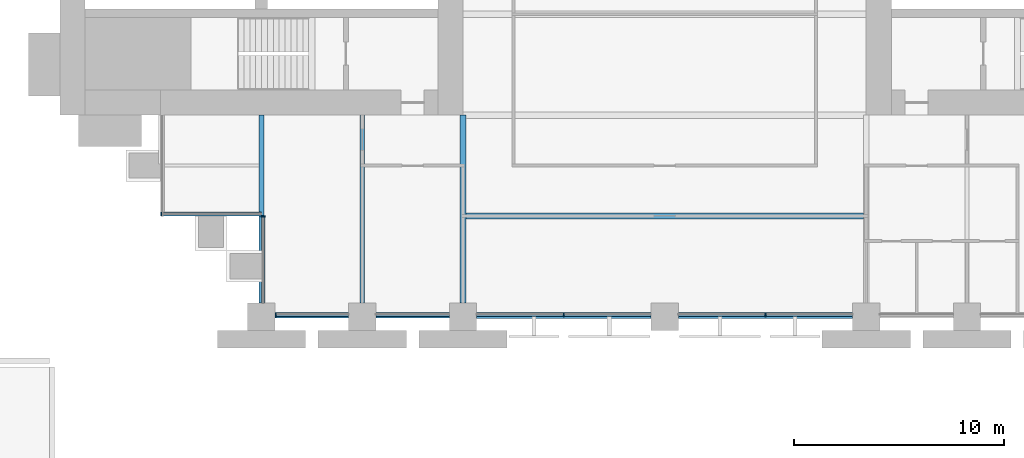
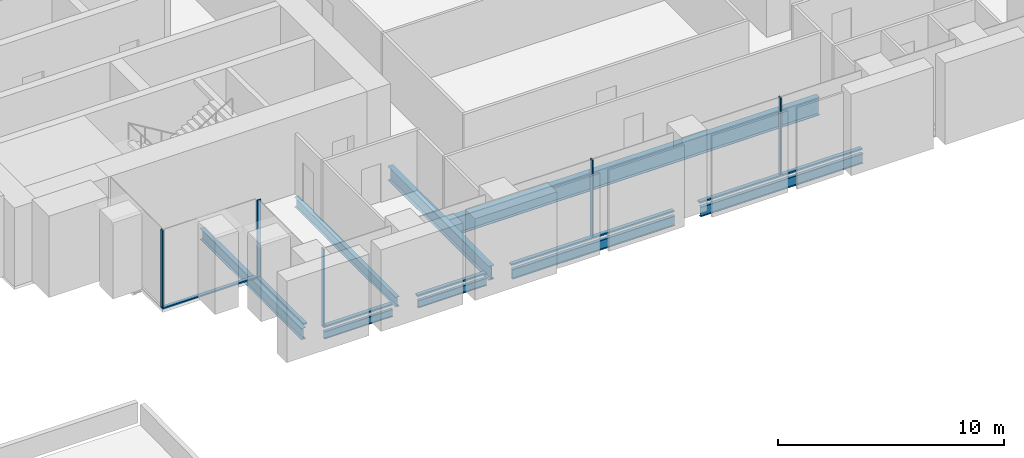
# One storey, part 2 of 14: 11 members, 8 beams, 3 elements without a shape of their own.
"""IFC4 building model written with IfcOpenShell, lengths in metres."""

import ifcopenshell
import ifcopenshell.guid

model = None  # the IFC model being written
_history = None  # IfcOwnerHistory: only IFC2X3 demands one
_inside = {}  # id of a spatial element -> (the spatial element, [elements in it])
_under = {}  # id of a project, library or spatial element -> (it, [spatial elements below it])
_declared = {}  # id of a project -> (the project, [libraries it declares])
_typed = {}  # id of a type object -> (the type object, [elements of that type])
_made_of = {}  # id of a material, layer set ... -> (it, [elements and type objects made of it])


def new_model(schema):
    """Start an empty IFC model of exactly this schema.

    Asked for "IFC4X3", IfcOpenShell would pick the latest addendum, in which some entities
    have other attributes; the version numbers below select the first issue.
    IFC2X3 requires an IfcOwnerHistory on every rooted entity: one is made here for all.
    """
    global model, _history
    if schema == "IFC4X3":
        model = ifcopenshell.file(schema_version=(4, 3, 0, 0))
    else:
        model = ifcopenshell.file(schema=schema)
    _inside.clear()
    _under.clear()
    _declared.clear()
    _typed.clear()
    _made_of.clear()
    _history = None
    if model.schema == "IFC2X3":
        org = make("IfcOrganization", Name="unknown")
        user = make(
            "IfcPersonAndOrganization",
            ThePerson=make("IfcPerson", FamilyName="unknown"),
            TheOrganization=org,
        )
        app = make(
            "IfcApplication",
            ApplicationDeveloper=org,
            Version="unknown",
            ApplicationFullName="unknown",
            ApplicationIdentifier="unknown",
        )
        _history = make(
            "IfcOwnerHistory",
            OwningUser=user,
            OwningApplication=app,
            ChangeAction="ADDED",
            CreationDate=0,
        )
    return model


def make(cls, **values):
    """One entity of the class cls with the attributes given. An attribute that is None is left unset."""
    return model.create_entity(
        cls, **{name: value for name, value in values.items() if value is not None}
    )


def rooted(cls, **values):
    """An entity with a GlobalId (a new one), such as an element, a storey or a relation."""
    return make(cls, GlobalId=ifcopenshell.guid.new(), OwnerHistory=_history, **values)


def si_unit(unit_type, name, prefix=None):
    """IfcSIUnit, for example si_unit("LENGTHUNIT", "METRE", prefix="MILLI")."""
    return make("IfcSIUnit", UnitType=unit_type, Prefix=prefix, Name=name)


def assignment(units):
    """IfcUnitAssignment: the units of a project."""
    return None if units is None else make("IfcUnitAssignment", Units=units)


def point(xyz):
    """IfcCartesianPoint."""
    return None if xyz is None else make("IfcCartesianPoint", Coordinates=xyz)


def direction(xyz):
    """IfcDirection."""
    return None if xyz is None else make("IfcDirection", DirectionRatios=xyz)


def frame(location, z_axis=None, x_axis=None):
    """IfcAxis2Placement3D, a coordinate frame: its origin and axes. An axis left out is left unset."""
    return make(
        "IfcAxis2Placement3D",
        Location=point(location),
        Axis=direction(z_axis),
        RefDirection=direction(x_axis),
    )


def frame_2d(location, x_axis=None):
    """IfcAxis2Placement2D, a coordinate frame in the plane: its origin and x axis."""
    return make(
        "IfcAxis2Placement2D", Location=point(location), RefDirection=direction(x_axis)
    )


def origin():
    """The frame at (0, 0, 0) with its axes left unset."""
    return frame((0.0, 0.0, 0.0))


def origin_2d():
    """The frame at (0, 0) in the plane with its x axis left unset."""
    return frame_2d((0.0, 0.0))


def place(relative_to, where):
    """IfcLocalPlacement: puts the frame where relative to a parent placement (None: the world)."""
    return make(
        "IfcLocalPlacement", PlacementRelTo=relative_to, RelativePlacement=where
    )


def context(
    kind, dimensions, precision=None, world=None, true_north=None, identifier=None
):
    """IfcGeometricRepresentationContext, for example the 3D "Model" context."""
    return make(
        "IfcGeometricRepresentationContext",
        ContextIdentifier=identifier,
        ContextType=kind,
        CoordinateSpaceDimension=dimensions,
        Precision=precision,
        WorldCoordinateSystem=world,
        TrueNorth=true_north,
    )


def subcontext(parent, identifier, kind, view, scale=None):
    """IfcGeometricRepresentationSubContext, for example "Body" below "Model"."""
    return make(
        "IfcGeometricRepresentationSubContext",
        ContextIdentifier=identifier,
        ContextType=kind,
        ParentContext=parent,
        TargetScale=scale,
        TargetView=view,
    )


def project(units=None, contexts=None):
    """IfcProject with its units and contexts."""
    return rooted(
        "IfcProject",
        Name="project",
        RepresentationContexts=contexts,
        UnitsInContext=assignment(units),
    )


def spatial(cls, under=None, at=None, **own):
    """A site, building, storey or space (cls), placed at a placement, below another one or the project."""
    s = rooted(cls, ObjectPlacement=at, **own)
    if under is not None:
        _under.setdefault(under.id(), (under, []))[1].append(s)
    return s


def profile(cls, at=None, kind="AREA", **sizes):
    """A parametric profile (cls). Its sizes go by their IFC names, for example OverallWidth=200.0."""
    return make(cls, ProfileType=kind, Position=at, **sizes)


def rectangle(**sizes):
    """IfcRectangleProfileDef."""
    return profile("IfcRectangleProfileDef", **sizes)


def i_section(**sizes):
    """IfcIShapeProfileDef."""
    return profile("IfcIShapeProfileDef", **sizes)


def extrude(swept, where, along, depth):
    """IfcExtrudedAreaSolid: the profile swept, set in the frame where, extruded along a direction by depth."""
    return make(
        "IfcExtrudedAreaSolid",
        SweptArea=swept,
        Position=where,
        ExtrudedDirection=direction(along),
        Depth=depth,
    )


def shape(context_of_items, identifier, shape_type, items):
    """IfcShapeRepresentation: the items that make up one representation, for example the "Body"."""
    return make(
        "IfcShapeRepresentation",
        ContextOfItems=context_of_items,
        RepresentationIdentifier=identifier,
        RepresentationType=shape_type,
        Items=items,
    )


def material(Name=None, Category=None):
    """IfcMaterial."""
    return make("IfcMaterial", Name=Name, Category=Category)


def material_profile(
    of_material, cross_section, Name=None, Category=None, Priority=None
):
    """IfcMaterialProfile: a cross section and its material."""
    return make(
        "IfcMaterialProfile",
        Name=Name,
        Material=of_material,
        Profile=cross_section,
        Priority=Priority,
        Category=Category,
    )


def profile_set(profiles, Name=None, composite=None):
    """IfcMaterialProfileSet."""
    return make(
        "IfcMaterialProfileSet",
        Name=Name,
        MaterialProfiles=profiles,
        CompositeProfile=composite,
    )


def made_of(thing, what):
    """Note that an element or type object is made of a material, layer set ...; save() writes the relation."""
    if what is not None:
        _made_of.setdefault(what.id(), (what, []))[1].append(thing)
    return thing


def type_object(cls, material=None, **own):
    """A type object (cls), such as IfcWallType, which elements share."""
    return made_of(rooted(cls, **own), material)


def element(
    cls,
    number,
    at=None,
    inside=None,
    cuts=None,
    type_object=None,
    material=None,
    context=None,
    identifier="Body",
    shape_type=None,
    held_by="IfcProductDefinitionShape",
    body=None,
    shapes=None,
    **own,
):
    """One element of the class cls, such as IfcWall. Its Tag is "e" and its number.

    at: its placement. inside: the storey or other place that contains it. cuts: it is an
    opening in that element (IfcRelVoidsElement). A single representation is given by context,
    identifier, shape_type and body (its items); several are given by shapes. held_by: the class
    of the entity that holds the representations. save() writes the other relations.
    """
    e = rooted(cls, Tag="e%d" % number, ObjectPlacement=at, **own)
    if body is not None:
        shapes = [shape(context, identifier, shape_type, body)]
    if shapes is not None:
        e.Representation = make(held_by, Representations=shapes)
    if inside is not None:
        _inside.setdefault(inside.id(), (inside, []))[1].append(e)
    if cuts is not None:
        rooted(
            "IfcRelVoidsElement", RelatingBuildingElement=cuts, RelatedOpeningElement=e
        )
    if type_object is not None:
        _typed.setdefault(type_object.id(), (type_object, []))[1].append(e)
    return made_of(e, material)


def aggregate(whole, parts):
    """IfcRelAggregates: a whole, such as a stair, and the parts it consists of."""
    return rooted("IfcRelAggregates", RelatingObject=whole, RelatedObjects=parts)


def save(model, path):
    """Write the relations noted so far, then the file.

    IfcRelAggregates (storeys below a building ...), IfcRelContainedInSpatialStructure (elements
    in a storey), IfcRelDefinesByType, IfcRelAssociatesMaterial and IfcRelDeclares: one each for
    every whole, place, type object, material and project.
    """
    for whole, parts in _under.values():
        aggregate(whole, parts)
    for where, things in _inside.values():
        rooted(
            "IfcRelContainedInSpatialStructure",
            RelatedElements=things,
            RelatingStructure=where,
        )
    for kind, things in _typed.values():
        rooted("IfcRelDefinesByType", RelatedObjects=things, RelatingType=kind)
    for what, things in _made_of.values():
        rooted("IfcRelAssociatesMaterial", RelatedObjects=things, RelatingMaterial=what)
    for by, libraries in _declared.values():
        rooted("IfcRelDeclares", RelatingContext=by, RelatedDefinitions=libraries)
    model.write(path)


model = new_model("IFC4")

# Units and contexts
model_context = context("Model", 3, precision=1e-05, world=origin(), true_north=direction((0.0, 1.0)))
body_context = subcontext(model_context, "Body", "Model", "MODEL_VIEW")
ifc_project = project(units=[si_unit("LENGTHUNIT", "METRE"), si_unit("AREAUNIT", "SQUARE_METRE"), si_unit("VOLUMEUNIT", "CUBIC_METRE"), si_unit("PLANEANGLEUNIT", "RADIAN"), si_unit("MASSUNIT", "GRAM", prefix="KILO")], contexts=[model_context])

# Site, building, storey
site_placement = place(None, origin())
site = spatial("IfcSite", under=ifc_project, at=site_placement, CompositionType="ELEMENT")
building_placement = place(site_placement, origin())
building = spatial("IfcBuilding", under=site, at=building_placement, Name="Baori Bourse Tower", CompositionType="ELEMENT")
storey_placement = place(building_placement, frame((0.0, 0.0, 30.199951171875)))
storey = spatial("IfcBuildingStorey", under=building, at=storey_placement, Name="L05", CompositionType="ELEMENT", Elevation=30.199951171875)

# Curtain wall, members
ifc_material_1 = material(Name="Pale anodised aluminium", Category="aluminium")
curtain_wall_type_1 = type_object("IfcCurtainWallType", Name="CW1 Curtain wall", PredefinedType="NOTDEFINED", material=ifc_material_1)
curtain_wall_1_placement = place(storey_placement, origin())
curtain_wall_1 = element("IfcCurtainWall", 1, at=curtain_wall_1_placement, inside=storey, type_object=curtain_wall_type_1, Name="Curtain wall CW1 L05 11", PredefinedType="NOTDEFINED")
ifc_material_2 = material(Name="Pale anodised aluminium", Category="aluminium")
ifc_material_profile_1 = material_profile(ifc_material_2, rectangle(XDim=0.199951171875, YDim=0.06005859375, at=origin_2d()), Name="Mullion 60x200")
ifc_profile_set_1 = profile_set([ifc_material_profile_1], Name="Pale anodised aluminium")
member_type_1 = type_object("IfcMemberType", Name="CW1 Curtain wall mullion", PredefinedType="MULLION", material=ifc_profile_set_1)
member_1_placement = place(storey_placement, frame((10.280029296875, 0.10009765625, 0.080078125), z_axis=(0.0, 0.0, 1.0), x_axis=(0.0, 1.0, 0.0)))
member_1 = element("IfcMember", 2, at=member_1_placement, type_object=member_type_1, Name="Curtain wall CW1 mullion", PredefinedType="MULLION", context=body_context, shape_type="SweptSolid", body=[
    extrude(rectangle(XDim=0.199951171875, YDim=0.06005859375, at=origin_2d()), origin(), (0.0, 0.0, 1.0), 4.159912109375),
])
member_2_placement = place(storey_placement, frame((24.0, 0.10009765625, 0.080078125), z_axis=(0.0, 0.0, 1.0), x_axis=(0.0, 1.0, 0.0)))
member_2 = element("IfcMember", 3, at=member_2_placement, type_object=member_type_1, Name="Curtain wall CW1 mullion", PredefinedType="MULLION", context=body_context, shape_type="SweptSolid", body=[
    extrude(rectangle(XDim=0.199951171875, YDim=0.06005859375, at=origin_2d()), origin(), (0.0, 0.0, 1.0), 4.159912109375),
])
member_3_placement = place(storey_placement, frame((33.60009765625, 0.10009765625, 0.080078125), z_axis=(0.0, 0.0, 1.0), x_axis=(0.0, 1.0, 0.0)))
member_3 = element("IfcMember", 4, at=member_3_placement, type_object=member_type_1, Name="Curtain wall CW1 mullion", PredefinedType="MULLION", context=body_context, shape_type="SweptSolid", body=[
    extrude(rectangle(XDim=0.199951171875, YDim=0.06005859375, at=origin_2d()), origin(), (0.0, 0.0, 1.0), 4.159912109375),
])
ifc_material_3 = material(Name="Pale anodised aluminium", Category="aluminium")
ifc_material_profile_2 = material_profile(ifc_material_3, rectangle(XDim=0.199951171875, YDim=0.080078125, at=origin_2d()), Name="Transom 80x200")
ifc_profile_set_2 = profile_set([ifc_material_profile_2], Name="Pale anodised aluminium")
member_type_2 = type_object("IfcMemberType", Name="CW1 Curtain wall transom", PredefinedType="USERDEFINED", material=ifc_profile_set_2)
member_4_placement = place(storey_placement, frame((10.25, 0.10009765625, 0.0400390625), z_axis=(1.0, 0.0, 0.0), x_axis=(0.0, 1.0, 0.0)))
member_4 = element("IfcMember", 5, at=member_4_placement, type_object=member_type_2, Name="Curtain wall CW1 sill rail", ObjectType="TRANSOM", PredefinedType="USERDEFINED", context=body_context, shape_type="SweptSolid", body=[
    extrude(rectangle(XDim=0.199951171875, YDim=0.080078125, at=origin_2d()), origin(), (0.0, 0.0, 1.0), 3.5),
])
member_5_placement = place(storey_placement, frame((15.050048828125, 0.10009765625, 0.0400390625), z_axis=(1.0, 0.0, 0.0), x_axis=(0.0, 1.0, 0.0)))
member_5 = element("IfcMember", 6, at=member_5_placement, type_object=member_type_2, Name="Curtain wall CW1 sill rail", ObjectType="TRANSOM", PredefinedType="USERDEFINED", context=body_context, shape_type="SweptSolid", body=[
    extrude(rectangle(XDim=0.199951171875, YDim=0.080078125, at=origin_2d()), origin(), (0.0, 0.0, 1.0), 3.5),
])
member_6_placement = place(storey_placement, frame((19.85009765625, 0.10009765625, 0.0400390625), z_axis=(1.0, 0.0, 0.0), x_axis=(0.0, 1.0, 0.0)))
member_6 = element("IfcMember", 7, at=member_6_placement, type_object=member_type_2, Name="Curtain wall CW1 sill rail", ObjectType="TRANSOM", PredefinedType="USERDEFINED", context=body_context, shape_type="SweptSolid", body=[
    extrude(rectangle(XDim=0.199951171875, YDim=0.080078125, at=origin_2d()), origin(), (0.0, 0.0, 1.0), 8.2998046875),
])
member_7_placement = place(storey_placement, frame((29.449951171875, 0.10009765625, 0.0400390625), z_axis=(1.0, 0.0, 0.0), x_axis=(0.0, 1.0, 0.0)))
member_7 = element("IfcMember", 8, at=member_7_placement, type_object=member_type_2, Name="Curtain wall CW1 sill rail", ObjectType="TRANSOM", PredefinedType="USERDEFINED", context=body_context, shape_type="SweptSolid", body=[
    extrude(rectangle(XDim=0.199951171875, YDim=0.080078125, at=origin_2d()), origin(), (0.0, 0.0, 1.0), 8.300048828125),
])
aggregate(curtain_wall_1, [member_4, member_1, member_5, member_6, member_2, member_7, member_3])

# Curtain wall, member
ifc_material_4 = material(Name="Pale anodised aluminium", Category="aluminium")
curtain_wall_type_2 = type_object("IfcCurtainWallType", Name="CW2 Curtain wall", PredefinedType="NOTDEFINED", material=ifc_material_4)
curtain_wall_2_placement = place(storey_placement, origin())
curtain_wall_2 = element("IfcCurtainWall", 9, at=curtain_wall_2_placement, inside=storey, type_object=curtain_wall_type_2, Name="Curtain wall CW2 L05 9", PredefinedType="NOTDEFINED")
ifc_material_5 = material(Name="Pale anodised aluminium", Category="aluminium")
ifc_material_profile_3 = material_profile(ifc_material_5, rectangle(XDim=0.179931640625, YDim=0.054931640625, at=origin_2d()), Name="Mullion 55x180")
ifc_profile_set_3 = profile_set([ifc_material_profile_3], Name="Pale anodised aluminium")
member_type_3 = type_object("IfcMemberType", Name="CW2 Curtain wall mullion", PredefinedType="MULLION", material=ifc_profile_set_3)
member_8_placement = place(storey_placement, frame((4.827392578125, 4.889892578125, 0.070068359375), z_axis=(0.0, 0.0, 1.0), x_axis=(0.0, 1.0, 0.0)))
member_8 = element("IfcMember", 10, at=member_8_placement, type_object=member_type_3, Name="Curtain wall CW2 mullion", PredefinedType="MULLION", context=body_context, shape_type="SweptSolid", body=[
    extrude(rectangle(XDim=0.179931640625, YDim=0.054931640625, at=origin_2d()), origin(), (0.0, 0.0, 1.0), 4.169921875),
])

curtain_wall_3_placement = place(storey_placement, origin())
curtain_wall_3 = element("IfcCurtainWall", 11, at=curtain_wall_3_placement, inside=storey, type_object=curtain_wall_type_2, Name="Curtain wall CW2 L05 10", PredefinedType="NOTDEFINED")
member_9_placement = place(storey_placement, frame((9.68994140625, 4.7724609375, 0.070068359375), z_axis=(0.0, 0.0, 1.0), x_axis=(1.0, 0.0, 0.0)))
member_9 = element("IfcMember", 12, at=member_9_placement, type_object=member_type_3, Name="Curtain wall CW2 mullion", PredefinedType="MULLION", context=body_context, shape_type="SweptSolid", body=[
    extrude(rectangle(XDim=0.179931640625, YDim=0.054931640625, at=origin_2d()), origin(), (0.0, 0.0, 1.0), 4.169921875),
])

# Member
ifc_material_6 = material(Name="Pale anodised aluminium", Category="aluminium")
ifc_material_profile_4 = material_profile(ifc_material_6, rectangle(XDim=0.179931640625, YDim=0.070068359375, at=origin_2d()), Name="Transom 70x180")
ifc_profile_set_4 = profile_set([ifc_material_profile_4], Name="Pale anodised aluminium")
member_type_4 = type_object("IfcMemberType", Name="CW2 Curtain wall transom", PredefinedType="USERDEFINED", material=ifc_profile_set_4)
member_10_placement = place(storey_placement, frame((4.800048828125, 4.889892578125, 0.03515625), z_axis=(1.0, 0.0, 0.0), x_axis=(0.0, 1.0, 0.0)))
member_10 = element("IfcMember", 13, at=member_10_placement, type_object=member_type_4, Name="Curtain wall CW2 sill rail", ObjectType="TRANSOM", PredefinedType="USERDEFINED", context=body_context, shape_type="SweptSolid", body=[
    extrude(rectangle(XDim=0.179931640625, YDim=0.070068359375, at=origin_2d()), origin(), (0.0, 0.0, 1.0), 4.800048828125),
])

aggregate(curtain_wall_2, [member_10, member_8])

member_11_placement = place(storey_placement, frame((9.68994140625, 4.800048828125, 0.03515625), z_axis=(0.0, -1.0, 0.0), x_axis=(1.0, 0.0, 0.0)))
member_11 = element("IfcMember", 14, at=member_11_placement, type_object=member_type_4, Name="Curtain wall CW2 sill rail", ObjectType="TRANSOM", PredefinedType="USERDEFINED", context=body_context, shape_type="SweptSolid", body=[
    extrude(rectangle(XDim=0.179931640625, YDim=0.070068359375, at=origin_2d()), origin(), (0.0, 0.0, 1.0), 4.150146484375),
])

aggregate(curtain_wall_3, [member_11, member_9])

# Beams
ifc_material_7 = material(Name="Steel A992 Gr 50", Category="steel")
ifc_material_profile_5 = material_profile(ifc_material_7, i_section(OverallWidth=0.140380859375, OverallDepth=0.40380859375, WebThickness=0.007080078125, FlangeThickness=0.01123046875, at=origin_2d()), Name="W16x31")
ifc_profile_set_5 = profile_set([ifc_material_profile_5], Name="Steel A992 Gr 50")
beam_type_1 = type_object("IfcBeamType", Name="Edge beam W16x31", PredefinedType="BEAM", material=ifc_profile_set_5)
for number, where, z_axis, x_axis, name in (
    (15, (10.25, 0.0, -0.36181640625), (1.0, 0.0, 0.0), (0.0, 1.0, 0.0), "Edge beam L05"),
    (16, (15.050048828125, 0.0, -0.36181640625), (1.0, 0.0, 0.0), (0.0, 1.0, 0.0), "Edge beam L05"),
):
    element("IfcBeam", number, at=place(storey_placement, frame(where, z_axis=z_axis, x_axis=x_axis)), inside=storey, type_object=beam_type_1, Name=name, PredefinedType="BEAM", context=body_context, shape_type="SweptSolid", body=[
        extrude(i_section(OverallWidth=0.140380859375, OverallDepth=0.40380859375, WebThickness=0.007080078125, FlangeThickness=0.01123046875, at=origin_2d()), origin(), (0.0, 0.0, 1.0), 3.5),
    ])
ifc_material_8 = material(Name="Steel A992 Gr 50", Category="steel")
ifc_material_profile_6 = material_profile(ifc_material_8, i_section(OverallWidth=0.1650390625, OverallDepth=0.52587890625, WebThickness=0.0087890625, FlangeThickness=0.011474609375, at=origin_2d()), Name="W21x44")
ifc_profile_set_6 = profile_set([ifc_material_profile_6], Name="Steel A992 Gr 50")
beam_type_2 = type_object("IfcBeamType", Name="Edge beam W21x44", PredefinedType="BEAM", material=ifc_profile_set_6)
beam_1_placement = place(storey_placement, frame((19.85009765625, 0.0, -0.4228515625), z_axis=(1.0, 0.0, 0.0), x_axis=(0.0, 1.0, 0.0)))
element("IfcBeam", 17, at=beam_1_placement, inside=storey, type_object=beam_type_2, Name="Edge beam L05", PredefinedType="BEAM", context=body_context, shape_type="SweptSolid", body=[
    extrude(i_section(OverallWidth=0.1650390625, OverallDepth=0.52587890625, WebThickness=0.0087890625, FlangeThickness=0.011474609375, at=origin_2d()), origin(), (0.0, 0.0, 1.0), 8.2998046875),
])
beam_2_placement = place(storey_placement, frame((29.449951171875, 0.0, -0.4228515625), z_axis=(1.0, 0.0, 0.0), x_axis=(0.0, 1.0, 0.0)))
element("IfcBeam", 18, at=beam_2_placement, inside=storey, type_object=beam_type_2, Name="Edge beam L05", PredefinedType="BEAM", context=body_context, shape_type="SweptSolid", body=[
    extrude(i_section(OverallWidth=0.1650390625, OverallDepth=0.52587890625, WebThickness=0.0087890625, FlangeThickness=0.011474609375, at=origin_2d()), origin(), (0.0, 0.0, 1.0), 8.300048828125),
])
ifc_material_9 = material(Name="Steel A992 Gr 50", Category="steel")
ifc_material_profile_7 = material_profile(ifc_material_9, i_section(OverallWidth=0.209228515625, OverallDepth=0.533447265625, WebThickness=0.01025390625, FlangeThickness=0.015625, at=origin_2d()), Name="W21x62")
ifc_profile_set_7 = profile_set([ifc_material_profile_7], Name="Steel A992 Gr 50")
beam_type_3 = type_object("IfcBeamType", Name="Floor beam W21x62", PredefinedType="BEAM", material=ifc_profile_set_7)
beam_3_placement = place(storey_placement, frame((14.39990234375, 0.64990234375, -0.4267578125), z_axis=(0.0, 1.0, 0.0), x_axis=(-1.0, 0.0, 0.0)))
element("IfcBeam", 19, at=beam_3_placement, inside=storey, type_object=beam_type_3, Name="Floor beam L05", PredefinedType="BEAM", context=body_context, shape_type="SweptSolid", body=[
    extrude(i_section(OverallWidth=0.209228515625, OverallDepth=0.533447265625, WebThickness=0.01025390625, FlangeThickness=0.015625, at=origin_2d()), origin(), (0.0, 0.0, 1.0), 8.9501953125),
])
ifc_material_10 = material(Name="Steel A992 Gr 50", Category="steel")
ifc_material_profile_8 = material_profile(ifc_material_10, i_section(OverallWidth=0.227783203125, OverallDepth=0.60205078125, WebThickness=0.010498046875, FlangeThickness=0.014892578125, at=origin_2d()), Name="W24x68")
ifc_profile_set_8 = profile_set([ifc_material_profile_8], Name="Steel A992 Gr 50")
beam_type_4 = type_object("IfcBeamType", Name="Floor beam W24x68", PredefinedType="BEAM", material=ifc_profile_set_8)
beam_4_placement = place(storey_placement, frame((9.60009765625, 0.64990234375, -0.4609375), z_axis=(0.0, 1.0, 0.0), x_axis=(-1.0, 0.0, 0.0)))
element("IfcBeam", 20, at=beam_4_placement, inside=storey, type_object=beam_type_4, Name="Floor beam L05", PredefinedType="BEAM", context=body_context, shape_type="SweptSolid", body=[
    extrude(i_section(OverallWidth=0.227783203125, OverallDepth=0.60205078125, WebThickness=0.010498046875, FlangeThickness=0.014892578125, at=origin_2d()), origin(), (0.0, 0.0, 1.0), 8.9501953125),
])
ifc_material_11 = material(Name="Steel A992 Gr 50", Category="steel")
ifc_material_profile_9 = material_profile(ifc_material_11, i_section(OverallWidth=0.2998046875, OverallDepth=0.97021484375, WebThickness=0.01611328125, FlangeThickness=0.02099609375, at=origin_2d()), Name="W40x149")
ifc_profile_set_9 = profile_set([ifc_material_profile_9], Name="Steel A992 Gr 50")
beam_type_5 = type_object("IfcBeamType", Name="Floor beam W40x149", PredefinedType="BEAM", material=ifc_profile_set_9)
beam_5_placement = place(storey_placement, frame((19.333251953125, 4.800048828125, -0.64501953125), z_axis=(1.0, 0.0, 0.0), x_axis=(0.0, 1.0, 0.0)))
element("IfcBeam", 21, at=beam_5_placement, inside=storey, type_object=beam_type_5, Name="Floor beam L05", PredefinedType="BEAM", context=body_context, shape_type="SweptSolid", body=[
    extrude(i_section(OverallWidth=0.2998046875, OverallDepth=0.97021484375, WebThickness=0.01611328125, FlangeThickness=0.02099609375, at=origin_2d()), origin(), (0.0, 0.0, 1.0), 18.933349609375),
])
ifc_material_12 = material(Name="Steel A992 Gr 50", Category="steel")
ifc_material_profile_10 = material_profile(ifc_material_12, i_section(OverallWidth=0.2666015625, OverallDepth=0.7568359375, WebThickness=0.013916015625, FlangeThickness=0.019287109375, at=origin_2d()), Name="W30x108")
ifc_profile_set_10 = profile_set([ifc_material_profile_10], Name="Steel A992 Gr 50")
beam_type_6 = type_object("IfcBeamType", Name="Girder W30x108", PredefinedType="BEAM", material=ifc_profile_set_10)
beam_6_placement = place(storey_placement, frame((19.199951171875, 0.64990234375, -0.538330078125), z_axis=(0.0, 1.0, 0.0), x_axis=(-1.0, 0.0, 0.0)))
element("IfcBeam", 22, at=beam_6_placement, inside=storey, type_object=beam_type_6, Name="Girder L05", PredefinedType="BEAM", context=body_context, shape_type="SweptSolid", body=[
    extrude(i_section(OverallWidth=0.2666015625, OverallDepth=0.7568359375, WebThickness=0.013916015625, FlangeThickness=0.019287109375, at=origin_2d()), origin(), (0.0, 0.0, 1.0), 8.9501953125),
])

save(model, "model.ifc")
